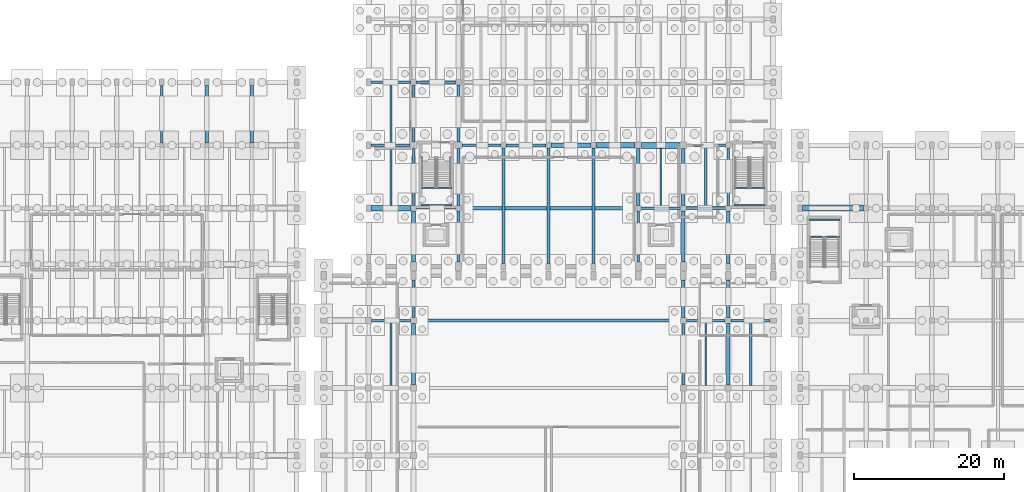
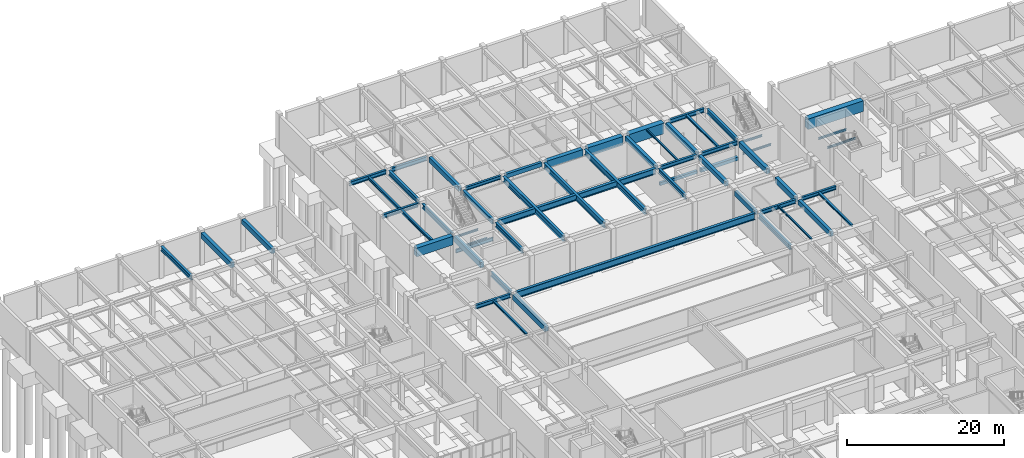
# One storey, part 38 of 69: 58 beams.
"""IFC4 building model written with IfcOpenShell, lengths in metres."""

from ifc_helpers import new_model, si_unit, direction, frame, origin, origin_2d, place, context, subcontext, project, spatial, rectangle, i_section, extrude, material, material_profile, profile_set, type_object, element, save


model = new_model("IFC4")

# Units and contexts
model_context = context("Model", 3, precision=1e-05, world=origin(), true_north=direction((0.0, 1.0)))
body_context = subcontext(model_context, "Body", "Model", "MODEL_VIEW")
ifc_project = project(units=[si_unit("LENGTHUNIT", "METRE"), si_unit("AREAUNIT", "SQUARE_METRE"), si_unit("VOLUMEUNIT", "CUBIC_METRE"), si_unit("PLANEANGLEUNIT", "RADIAN"), si_unit("MASSUNIT", "GRAM", prefix="KILO")], contexts=[model_context])

# Site, building, storey
site_placement = place(None, origin())
site = spatial("IfcSite", under=ifc_project, at=site_placement, CompositionType="ELEMENT")
building_placement = place(site_placement, origin())
building = spatial("IfcBuilding", under=site, at=building_placement, Name="Vaelkrest Opera House", CompositionType="ELEMENT")
storey_placement = place(building_placement, frame((0.0, 0.0, -5.39990234375)))
storey = spatial("IfcBuildingStorey", under=building, at=storey_placement, Name="B1", CompositionType="ELEMENT", Elevation=-5.39990234375)

# Beams
ifc_material_1 = material(Name="Concrete C50/60", Category="concrete")
ifc_material_profile_1 = material_profile(ifc_material_1, rectangle(XDim=0.39990234375, YDim=0.64990234375, at=origin_2d()), Name="RCB400X650")
ifc_profile_set_1 = profile_set([ifc_material_profile_1], Name="Concrete C50/60")
beam_type_1 = type_object("IfcBeamType", Name="B01", PredefinedType="BEAM", material=ifc_profile_set_1)
beam_1_placement = place(storey_placement, frame((-5.64990234375, 33.60009765625, 4.7099609375), z_axis=(1.0, 0.0, 0.0), x_axis=(0.0, 1.0, 0.0)))
element("IfcBeam", 1, at=beam_1_placement, inside=storey, type_object=beam_type_1, Name="Beam BM-V2-B1-0669", PredefinedType="BEAM", context=body_context, shape_type="SweptSolid", body=[
    extrude(rectangle(XDim=0.39990234375, YDim=0.64990234375, at=origin_2d()), origin(), (0.0, 0.0, 1.0), 5.2998046875),
])
ifc_material_profile_2 = material_profile(ifc_material_1, rectangle(XDim=0.449951171875, YDim=0.75, at=origin_2d()), Name="RCB450X750")
ifc_profile_set_2 = profile_set([ifc_material_profile_2], Name="Concrete C50/60")
beam_type_2 = type_object("IfcBeamType", Name="B02", PredefinedType="BEAM", material=ifc_profile_set_2)
beam_2_placement = place(storey_placement, frame((18.0, 10.60009765625, 4.684814453125), z_axis=(0.0, 1.0, 0.0), x_axis=(-1.0, 0.0, 0.0)))
element("IfcBeam", 2, at=beam_2_placement, inside=storey, type_object=beam_type_2, Name="Beam BM-V1-B1-0063", PredefinedType="BEAM", context=body_context, shape_type="SweptSolid", body=[
    extrude(rectangle(XDim=0.449951171875, YDim=0.75, at=origin_2d()), origin(), (0.0, 0.0, 1.0), 5.0498046875),
])
beam_3_placement = place(storey_placement, frame((24.0, 1.60009765625, 4.684814453125), z_axis=(0.0, 1.0, 0.0), x_axis=(-1.0, 0.0, 0.0)))
element("IfcBeam", 3, at=beam_3_placement, inside=storey, type_object=beam_type_2, Name="Beam BM-V1-B1-0067", PredefinedType="BEAM", context=body_context, shape_type="SweptSolid", body=[
    extrude(rectangle(XDim=0.449951171875, YDim=0.75, at=origin_2d()), origin(), (0.0, 0.0, 1.0), 8.199951171875),
])
for number, where, z_axis, x_axis, name in (
    (4, (-12.0, 34.050048828125, 4.659912109375), (0.0, 1.0, 0.0), (-1.0, 0.0, 0.0), "Beam BM-V2-B1-0699"),
    (5, (12.0, 25.550048828125, 4.659912109375), (0.0, 1.0, 0.0), (-1.0, 0.0, 0.0), "Beam BM-V2-B1-0715"),
):
    element("IfcBeam", number, at=place(storey_placement, frame(where, z_axis=z_axis, x_axis=x_axis)), inside=storey, type_object=beam_type_2, Name=name, PredefinedType="BEAM", context=body_context, shape_type="SweptSolid", body=[
        extrude(rectangle(XDim=0.449951171875, YDim=0.75, at=origin_2d()), origin(), (0.0, 0.0, 1.0), 7.599853515625),
    ])
beam_4_placement = place(storey_placement, frame((18.0, 18.0, 4.659912109375), z_axis=(0.0, 1.0, 0.0), x_axis=(-1.0, 0.0, 0.0)))
element("IfcBeam", 6, at=beam_4_placement, inside=storey, type_object=beam_type_2, Name="Beam BM-V2-B1-0719", PredefinedType="BEAM", context=body_context, shape_type="SweptSolid", body=[
    extrude(rectangle(XDim=0.449951171875, YDim=0.75, at=origin_2d()), origin(), (0.0, 0.0, 1.0), 6.85009765625),
])
beam_5_placement = place(storey_placement, frame((-39.60009765625, 33.875, 4.704833984375), z_axis=(0.0, 1.0, 0.0), x_axis=(-1.0, 0.0, 0.0)))
element("IfcBeam", 7, at=beam_5_placement, inside=storey, type_object=beam_type_2, Name="Beam BM-V3-B1-1355", PredefinedType="BEAM", context=body_context, shape_type="SweptSolid", body=[
    extrude(rectangle(XDim=0.449951171875, YDim=0.75, at=origin_2d()), origin(), (0.0, 0.0, 1.0), 7.675048828125),
])
ifc_material_profile_3 = material_profile(ifc_material_1, rectangle(XDim=0.5, YDim=0.85009765625, at=origin_2d()), Name="RCB500X850")
ifc_profile_set_3 = profile_set([ifc_material_profile_3], Name="Concrete C50/60")
beam_type_3 = type_object("IfcBeamType", Name="B03", PredefinedType="BEAM", material=ifc_profile_set_3)
beam_6_placement = place(storey_placement, frame((-18.0, 1.60009765625, 4.635009765625), z_axis=(0.0, 1.0, 0.0), x_axis=(-1.0, 0.0, 0.0)))
element("IfcBeam", 8, at=beam_6_placement, inside=storey, type_object=beam_type_3, Name="Beam BM-V1-B1-0048", PredefinedType="BEAM", context=body_context, shape_type="SweptSolid", body=[
    extrude(rectangle(XDim=0.5, YDim=0.85009765625, at=origin_2d()), origin(), (0.0, 0.0, 1.0), 8.199951171875),
])
beam_7_placement = place(storey_placement, frame((24.0, 10.60009765625, 4.635009765625), z_axis=(0.0, 1.0, 0.0), x_axis=(-1.0, 0.0, 0.0)))
element("IfcBeam", 9, at=beam_7_placement, inside=storey, type_object=beam_type_3, Name="Beam BM-V1-B1-0068", PredefinedType="BEAM", context=body_context, shape_type="SweptSolid", body=[
    extrude(rectangle(XDim=0.5, YDim=0.85009765625, at=origin_2d()), origin(), (0.0, 0.0, 1.0), 5.0498046875),
])
beam_8_placement = place(storey_placement, frame((-18.0, 18.0, 4.60986328125), z_axis=(0.0, 1.0, 0.0), x_axis=(-1.0, 0.0, 0.0)))
element("IfcBeam", 10, at=beam_8_placement, inside=storey, type_object=beam_type_3, Name="Beam BM-V2-B1-0692", PredefinedType="BEAM", context=body_context, shape_type="SweptSolid", body=[
    extrude(rectangle(XDim=0.5, YDim=0.85009765625, at=origin_2d()), origin(), (0.0, 0.0, 1.0), 6.85009765625),
])
beam_9_placement = place(storey_placement, frame((18.0, 25.550048828125, 4.60986328125), z_axis=(0.0, 1.0, 0.0), x_axis=(-1.0, 0.0, 0.0)))
element("IfcBeam", 11, at=beam_9_placement, inside=storey, type_object=beam_type_3, Name="Beam BM-V2-B1-0720", PredefinedType="BEAM", context=body_context, shape_type="SweptSolid", body=[
    extrude(rectangle(XDim=0.5, YDim=0.85009765625, at=origin_2d()), origin(), (0.0, 0.0, 1.0), 7.599853515625),
])
beam_10_placement = place(storey_placement, frame((24.0, 17.85009765625, 4.60986328125), z_axis=(0.0, 1.0, 0.0), x_axis=(-1.0, 0.0, 0.0)))
element("IfcBeam", 12, at=beam_10_placement, inside=storey, type_object=beam_type_3, Name="Beam BM-V2-B1-0724", PredefinedType="BEAM", context=body_context, shape_type="SweptSolid", body=[
    extrude(rectangle(XDim=0.5, YDim=0.85009765625, at=origin_2d()), origin(), (0.0, 0.0, 1.0), 7.0),
])
beam_11_placement = place(storey_placement, frame((-45.60009765625, 33.875, 4.65478515625), z_axis=(0.0, 1.0, 0.0), x_axis=(-1.0, 0.0, 0.0)))
element("IfcBeam", 13, at=beam_11_placement, inside=storey, type_object=beam_type_3, Name="Beam BM-V3-B1-1348", PredefinedType="BEAM", context=body_context, shape_type="SweptSolid", body=[
    extrude(rectangle(XDim=0.5, YDim=0.85009765625, at=origin_2d()), origin(), (0.0, 0.0, 1.0), 7.675048828125),
])
ifc_material_profile_4 = material_profile(ifc_material_1, rectangle(XDim=0.60009765625, YDim=1.10009765625, at=origin_2d()), Name="RCB600X1100")
ifc_profile_set_4 = profile_set([ifc_material_profile_4], Name="Concrete C50/60")
beam_type_4 = type_object("IfcBeamType", Name="B05", PredefinedType="BEAM", material=ifc_profile_set_4)
beam_12_placement = place(storey_placement, frame((0.35009765625, 33.60009765625, 4.48486328125), z_axis=(1.0, 0.0, 0.0), x_axis=(0.0, 1.0, 0.0)))
element("IfcBeam", 14, at=beam_12_placement, inside=storey, type_object=beam_type_4, Name="Beam BM-V2-B1-0670", PredefinedType="BEAM", context=body_context, shape_type="SweptSolid", body=[
    extrude(rectangle(XDim=0.60009765625, YDim=1.10009765625, at=origin_2d()), origin(), (0.0, 0.0, 1.0), 5.2998046875),
])
ifc_material_profile_5 = material_profile(ifc_material_1, rectangle(XDim=0.699951171875, YDim=1.35009765625, at=origin_2d()), Name="RCB700X1350")
ifc_profile_set_5 = profile_set([ifc_material_profile_5], Name="Concrete C50/60")
beam_type_5 = type_object("IfcBeamType", Name="B06", PredefinedType="BEAM", material=ifc_profile_set_5)
beam_13_placement = place(storey_placement, frame((-23.699951171875, 25.199951171875, 4.35986328125), z_axis=(1.0, 0.0, 0.0), x_axis=(0.0, 1.0, 0.0)))
element("IfcBeam", 15, at=beam_13_placement, inside=storey, type_object=beam_type_5, Name="Beam BM-V2-B1-0663", PredefinedType="BEAM", context=body_context, shape_type="SweptSolid", body=[
    extrude(rectangle(XDim=0.699951171875, YDim=1.35009765625, at=origin_2d()), origin(), (0.0, 0.0, 1.0), 5.349853515625),
])
beam_14_placement = place(storey_placement, frame((6.35009765625, 33.60009765625, 4.35986328125), z_axis=(1.0, 0.0, 0.0), x_axis=(0.0, 1.0, 0.0)))
element("IfcBeam", 16, at=beam_14_placement, inside=storey, type_object=beam_type_5, Name="Beam BM-V2-B1-0671", PredefinedType="BEAM", context=body_context, shape_type="SweptSolid", body=[
    extrude(rectangle(XDim=0.699951171875, YDim=1.35009765625, at=origin_2d()), origin(), (0.0, 0.0, 1.0), 5.199951171875),
])
ifc_material_profile_6 = material_profile(ifc_material_1, rectangle(XDim=0.800048828125, YDim=1.64990234375, at=origin_2d()), Name="RCB800X1650")
ifc_profile_set_6 = profile_set([ifc_material_profile_6], Name="Concrete C50/60")
beam_type_6 = type_object("IfcBeamType", Name="B07", PredefinedType="BEAM", material=ifc_profile_set_6)
beam_15_placement = place(storey_placement, frame((12.449951171875, 33.60009765625, 4.2099609375), z_axis=(1.0, 0.0, 0.0), x_axis=(0.0, 1.0, 0.0)))
element("IfcBeam", 17, at=beam_15_placement, inside=storey, type_object=beam_type_6, Name="Beam BM-V2-B1-0672", PredefinedType="BEAM", context=body_context, shape_type="SweptSolid", body=[
    extrude(rectangle(XDim=0.800048828125, YDim=1.64990234375, at=origin_2d()), origin(), (0.0, 0.0, 1.0), 5.10009765625),
])
beam_16_placement = place(storey_placement, frame((33.89990234375, 25.199951171875, 4.179931640625), z_axis=(1.0, 0.0, 0.0), x_axis=(0.0, 1.0, 0.0)))
element("IfcBeam", 18, at=beam_16_placement, inside=storey, type_object=beam_type_6, Name="Beam BM-V4-B1-1856", PredefinedType="BEAM", context=body_context, shape_type="SweptSolid", body=[
    extrude(rectangle(XDim=0.800048828125, YDim=1.64990234375, at=origin_2d()), origin(), (0.0, 0.0, 1.0), 8.150146484375),
])
ifc_material_2 = material(Name="Steel A992 Gr50", Category="steel")
ifc_material_profile_7 = material_profile(ifc_material_2, i_section(OverallWidth=0.323974609375, OverallDepth=0.611083984375, WebThickness=0.0126953125, FlangeThickness=0.01904296875, at=origin_2d()), Name="W24X104")
ifc_profile_set_7 = profile_set([ifc_material_profile_7], Name="Steel A992 Gr50")
beam_type_7 = type_object("IfcBeamType", Name="B08", PredefinedType="BEAM", material=ifc_profile_set_7)
beam_17_placement = place(storey_placement, frame((-23.60009765625, 10.199951171875, 4.75439453125), z_axis=(1.0, 0.0, 0.0), x_axis=(0.0, 1.0, 0.0)))
element("IfcBeam", 19, at=beam_17_placement, inside=storey, type_object=beam_type_7, Name="Beam BM-V1-B1-0033", PredefinedType="BEAM", context=body_context, shape_type="SweptSolid", body=[
    extrude(i_section(OverallWidth=0.323974609375, OverallDepth=0.611083984375, WebThickness=0.0126953125, FlangeThickness=0.01904296875, at=origin_2d()), origin(), (0.0, 0.0, 1.0), 5.2001953125),
])
beam_18_placement = place(storey_placement, frame((12.35009765625, 25.199951171875, 4.7294921875), z_axis=(1.0, 0.0, 0.0), x_axis=(0.0, 1.0, 0.0)))
element("IfcBeam", 20, at=beam_18_placement, inside=storey, type_object=beam_type_7, Name="Beam BM-V2-B1-0665", PredefinedType="BEAM", context=body_context, shape_type="SweptSolid", body=[
    extrude(i_section(OverallWidth=0.323974609375, OverallDepth=0.611083984375, WebThickness=0.0126953125, FlangeThickness=0.01904296875, at=origin_2d()), origin(), (0.0, 0.0, 1.0), 5.2998046875),
])
beam_19_placement = place(storey_placement, frame((18.449951171875, 33.60009765625, 4.7294921875), z_axis=(1.0, 0.0, 0.0), x_axis=(0.0, 1.0, 0.0)))
element("IfcBeam", 21, at=beam_19_placement, inside=storey, type_object=beam_type_7, Name="Beam BM-V2-B1-0673", PredefinedType="BEAM", context=body_context, shape_type="SweptSolid", body=[
    extrude(i_section(OverallWidth=0.323974609375, OverallDepth=0.611083984375, WebThickness=0.0126953125, FlangeThickness=0.01904296875, at=origin_2d()), origin(), (0.0, 0.0, 1.0), 5.199951171875),
])
ifc_material_profile_8 = material_profile(ifc_material_2, i_section(OverallWidth=0.327880859375, OverallDepth=0.6279296875, WebThickness=0.0166015625, FlangeThickness=0.027587890625, at=origin_2d()), Name="W24X146")
ifc_profile_set_8 = profile_set([ifc_material_profile_8], Name="Steel A992 Gr50")
beam_type_8 = type_object("IfcBeamType", Name="B09", PredefinedType="BEAM", material=ifc_profile_set_8)
beam_20_placement = place(storey_placement, frame((18.35009765625, 25.199951171875, 4.720947265625), z_axis=(1.0, 0.0, 0.0), x_axis=(0.0, 1.0, 0.0)))
element("IfcBeam", 22, at=beam_20_placement, inside=storey, type_object=beam_type_8, Name="Beam BM-V2-B1-0666", PredefinedType="BEAM", context=body_context, shape_type="SweptSolid", body=[
    extrude(i_section(OverallWidth=0.327880859375, OverallDepth=0.6279296875, WebThickness=0.0166015625, FlangeThickness=0.027587890625, at=origin_2d()), origin(), (0.0, 0.0, 1.0), 5.2998046875),
])
beam_21_placement = place(storey_placement, frame((-23.699951171875, 42.0, 4.720947265625), z_axis=(1.0, 0.0, 0.0), x_axis=(0.0, 1.0, 0.0)))
element("IfcBeam", 23, at=beam_21_placement, inside=storey, type_object=beam_type_8, Name="Beam BM-V2-B1-0674", PredefinedType="BEAM", context=body_context, shape_type="SweptSolid", body=[
    extrude(i_section(OverallWidth=0.327880859375, OverallDepth=0.6279296875, WebThickness=0.0166015625, FlangeThickness=0.027587890625, at=origin_2d()), origin(), (0.0, 0.0, 1.0), 5.349853515625),
])
ifc_material_profile_9 = material_profile(ifc_material_2, i_section(OverallWidth=0.35498046875, OverallDepth=0.695068359375, WebThickness=0.015380859375, FlangeThickness=0.02490234375, at=origin_2d()), Name="W27X146")
ifc_profile_set_9 = profile_set([ifc_material_profile_9], Name="Steel A992 Gr50")
beam_type_9 = type_object("IfcBeamType", Name="B10", PredefinedType="BEAM", material=ifc_profile_set_9)
beam_22_placement = place(storey_placement, frame((-18.0, 10.60009765625, 4.71240234375), z_axis=(0.0, 1.0, 0.0), x_axis=(-1.0, 0.0, 0.0)))
element("IfcBeam", 24, at=beam_22_placement, inside=storey, type_object=beam_type_9, Name="Beam BM-V1-B1-0049", PredefinedType="BEAM", context=body_context, shape_type="SweptSolid", body=[
    extrude(i_section(OverallWidth=0.35498046875, OverallDepth=0.695068359375, WebThickness=0.015380859375, FlangeThickness=0.02490234375, at=origin_2d()), origin(), (0.0, 0.0, 1.0), 5.0498046875),
])
beam_23_placement = place(storey_placement, frame((-18.0, 25.550048828125, 4.6875), z_axis=(0.0, 1.0, 0.0), x_axis=(-1.0, 0.0, 0.0)))
element("IfcBeam", 25, at=beam_23_placement, inside=storey, type_object=beam_type_9, Name="Beam BM-V2-B1-0693", PredefinedType="BEAM", context=body_context, shape_type="SweptSolid", body=[
    extrude(i_section(OverallWidth=0.35498046875, OverallDepth=0.695068359375, WebThickness=0.015380859375, FlangeThickness=0.02490234375, at=origin_2d()), origin(), (0.0, 0.0, 1.0), 7.599853515625),
])
beam_24_placement = place(storey_placement, frame((-12.0, 18.0, 4.6875), z_axis=(0.0, 1.0, 0.0), x_axis=(-1.0, 0.0, 0.0)))
element("IfcBeam", 26, at=beam_24_placement, inside=storey, type_object=beam_type_9, Name="Beam BM-V2-B1-0697", PredefinedType="BEAM", context=body_context, shape_type="SweptSolid", body=[
    extrude(i_section(OverallWidth=0.35498046875, OverallDepth=0.695068359375, WebThickness=0.015380859375, FlangeThickness=0.02490234375, at=origin_2d()), origin(), (0.0, 0.0, 1.0), 6.85009765625),
])
beam_25_placement = place(storey_placement, frame((24.0, 25.550048828125, 4.6875), z_axis=(0.0, 1.0, 0.0), x_axis=(-1.0, 0.0, 0.0)))
element("IfcBeam", 27, at=beam_25_placement, inside=storey, type_object=beam_type_9, Name="Beam BM-V2-B1-0725", PredefinedType="BEAM", context=body_context, shape_type="SweptSolid", body=[
    extrude(i_section(OverallWidth=0.35498046875, OverallDepth=0.695068359375, WebThickness=0.015380859375, FlangeThickness=0.02490234375, at=origin_2d()), origin(), (0.0, 0.0, 1.0), 7.699951171875),
])
beam_26_placement = place(storey_placement, frame((-51.60009765625, 33.875, 4.732421875), z_axis=(0.0, 1.0, 0.0), x_axis=(-1.0, 0.0, 0.0)))
element("IfcBeam", 28, at=beam_26_placement, inside=storey, type_object=beam_type_9, Name="Beam BM-V3-B1-1341", PredefinedType="BEAM", context=body_context, shape_type="SweptSolid", body=[
    extrude(i_section(OverallWidth=0.35498046875, OverallDepth=0.695068359375, WebThickness=0.015380859375, FlangeThickness=0.02490234375, at=origin_2d()), origin(), (0.0, 0.0, 1.0), 7.675048828125),
])
ifc_material_profile_10 = material_profile(ifc_material_2, i_section(OverallWidth=0.39892578125, OverallDepth=0.85498046875, WebThickness=0.018310546875, FlangeThickness=0.029296875, at=origin_2d()), Name="W33X201")
ifc_profile_set_10 = profile_set([ifc_material_profile_10], Name="Steel A992 Gr50")
beam_type_10 = type_object("IfcBeamType", Name="B12", PredefinedType="BEAM", material=ifc_profile_set_10)
for number, where, z_axis, x_axis, name in (
    (29, (-6.0, 17.85009765625, 4.607421875), (0.0, 1.0, 0.0), (-1.0, 0.0, 0.0), "Beam BM-V2-B1-0702"),
    (30, (0.0, 17.85009765625, 4.607421875), (0.0, 1.0, 0.0), (-1.0, 0.0, 0.0), "Beam BM-V2-B1-0706"),
    (31, (6.0, 17.85009765625, 4.607421875), (0.0, 1.0, 0.0), (-1.0, 0.0, 0.0), "Beam BM-V2-B1-0710"),
):
    element("IfcBeam", number, at=place(storey_placement, frame(where, z_axis=z_axis, x_axis=x_axis)), inside=storey, type_object=beam_type_10, Name=name, PredefinedType="BEAM", context=body_context, shape_type="SweptSolid", body=[
        extrude(i_section(OverallWidth=0.39892578125, OverallDepth=0.85498046875, WebThickness=0.018310546875, FlangeThickness=0.029296875, at=origin_2d()), origin(), (0.0, 0.0, 1.0), 15.39990234375),
    ])
ifc_material_profile_11 = material_profile(ifc_material_2, i_section(OverallWidth=0.41796875, OverallDepth=0.927001953125, WebThickness=0.019287109375, FlangeThickness=0.031982421875, at=origin_2d()), Name="W36X231")
ifc_profile_set_11 = profile_set([ifc_material_profile_11], Name="Steel A992 Gr50")
beam_type_11 = type_object("IfcBeamType", Name="B13", PredefinedType="BEAM", material=ifc_profile_set_11)
beam_27_placement = place(storey_placement, frame((-11.64990234375, 25.199951171875, 4.5712890625), z_axis=(1.0, 0.0, 0.0), x_axis=(0.0, 1.0, 0.0)))
element("IfcBeam", 32, at=beam_27_placement, inside=storey, type_object=beam_type_11, Name="Beam BM-V2-B1-0664", PredefinedType="BEAM", context=body_context, shape_type="SweptSolid", body=[
    extrude(i_section(OverallWidth=0.41796875, OverallDepth=0.927001953125, WebThickness=0.019287109375, FlangeThickness=0.031982421875, at=origin_2d()), origin(), (0.0, 0.0, 1.0), 23.2998046875),
])
ifc_material_profile_12 = material_profile(ifc_material_2, i_section(OverallWidth=0.35791015625, OverallDepth=0.7060546875, WebThickness=0.018310546875, FlangeThickness=0.0302734375, at=origin_2d()), Name="W27X178")
ifc_profile_set_12 = profile_set([ifc_material_profile_12], Name="Steel A992 Gr50")
beam_type_12 = type_object("IfcBeamType", Name="B14", PredefinedType="BEAM", material=ifc_profile_set_12)
beam_28_placement = place(storey_placement, frame((18.0, 1.60009765625, 4.706787109375), z_axis=(0.0, 1.0, 0.0), x_axis=(-1.0, 0.0, 0.0)))
element("IfcBeam", 33, at=beam_28_placement, inside=storey, type_object=beam_type_12, Name="Beam BM-V1-B1-0062", PredefinedType="BEAM", context=body_context, shape_type="SweptSolid", body=[
    extrude(i_section(OverallWidth=0.35791015625, OverallDepth=0.7060546875, WebThickness=0.018310546875, FlangeThickness=0.0302734375, at=origin_2d()), origin(), (0.0, 0.0, 1.0), 8.199951171875),
])
for number, where, z_axis, x_axis, name in (
    (34, (-18.0, 34.050048828125, 4.681884765625), (0.0, 1.0, 0.0), (-1.0, 0.0, 0.0), "Beam BM-V2-B1-0694"),
    (35, (-12.0, 25.550048828125, 4.681884765625), (0.0, 1.0, 0.0), (-1.0, 0.0, 0.0), "Beam BM-V2-B1-0698"),
):
    element("IfcBeam", number, at=place(storey_placement, frame(where, z_axis=z_axis, x_axis=x_axis)), inside=storey, type_object=beam_type_12, Name=name, PredefinedType="BEAM", context=body_context, shape_type="SweptSolid", body=[
        extrude(i_section(OverallWidth=0.35791015625, OverallDepth=0.7060546875, WebThickness=0.018310546875, FlangeThickness=0.0302734375, at=origin_2d()), origin(), (0.0, 0.0, 1.0), 7.599853515625),
    ])
beam_29_placement = place(storey_placement, frame((12.0, 18.0, 4.681884765625), z_axis=(0.0, 1.0, 0.0), x_axis=(-1.0, 0.0, 0.0)))
element("IfcBeam", 36, at=beam_29_placement, inside=storey, type_object=beam_type_12, Name="Beam BM-V2-B1-0714", PredefinedType="BEAM", context=body_context, shape_type="SweptSolid", body=[
    extrude(i_section(OverallWidth=0.35791015625, OverallDepth=0.7060546875, WebThickness=0.018310546875, FlangeThickness=0.0302734375, at=origin_2d()), origin(), (0.0, 0.0, 1.0), 6.85009765625),
])
ifc_material_profile_13 = material_profile(ifc_material_2, i_section(OverallWidth=0.39990234375, OverallDepth=1.02197265625, WebThickness=0.01904296875, FlangeThickness=0.0361328125, at=origin_2d()), Name="W40X249")
ifc_profile_set_13 = profile_set([ifc_material_profile_13], Name="Steel A992 Gr50")
beam_type_13 = type_object("IfcBeamType", Name="B15", PredefinedType="BEAM", material=ifc_profile_set_13)
beam_30_placement = place(storey_placement, frame((-17.60009765625, 10.199951171875, 4.548828125), z_axis=(1.0, 0.0, 0.0), x_axis=(0.0, 1.0, 0.0)))
element("IfcBeam", 37, at=beam_30_placement, inside=storey, type_object=beam_type_13, Name="Beam BM-V1-B1-0034", PredefinedType="BEAM", context=body_context, shape_type="SweptSolid", body=[
    extrude(i_section(OverallWidth=0.39990234375, OverallDepth=1.02197265625, WebThickness=0.01904296875, FlangeThickness=0.0361328125, at=origin_2d()), origin(), (0.0, 0.0, 1.0), 35.2001953125),
])
ifc_material_profile_14 = material_profile(ifc_material_2, i_section(OverallWidth=0.326904296875, OverallDepth=0.6220703125, WebThickness=0.015380859375, FlangeThickness=0.0244140625, at=origin_2d()), Name="W24X131")
ifc_profile_set_14 = profile_set([ifc_material_profile_14], Name="Steel A992 Gr50")
beam_type_14 = type_object("IfcBeamType", Name="B19", PredefinedType="BEAM", material=ifc_profile_set_14)
beam_31_placement = place(storey_placement, frame((18.39990234375, 10.199951171875, 4.7490234375), z_axis=(1.0, 0.0, 0.0), x_axis=(0.0, 1.0, 0.0)))
element("IfcBeam", 38, at=beam_31_placement, inside=storey, type_object=beam_type_14, Name="Beam BM-V1-B1-0035", PredefinedType="BEAM", context=body_context, shape_type="SweptSolid", body=[
    extrude(i_section(OverallWidth=0.326904296875, OverallDepth=0.6220703125, WebThickness=0.015380859375, FlangeThickness=0.0244140625, at=origin_2d()), origin(), (0.0, 0.0, 1.0), 5.2001953125),
])
beam_32_placement = place(storey_placement, frame((-23.699951171875, 33.60009765625, 4.723876953125), z_axis=(1.0, 0.0, 0.0), x_axis=(0.0, 1.0, 0.0)))
element("IfcBeam", 39, at=beam_32_placement, inside=storey, type_object=beam_type_14, Name="Beam BM-V2-B1-0667", PredefinedType="BEAM", context=body_context, shape_type="SweptSolid", body=[
    extrude(i_section(OverallWidth=0.326904296875, OverallDepth=0.6220703125, WebThickness=0.015380859375, FlangeThickness=0.0244140625, at=origin_2d()), origin(), (0.0, 0.0, 1.0), 5.25),
])
beam_33_placement = place(storey_placement, frame((-17.64990234375, 42.0, 4.723876953125), z_axis=(1.0, 0.0, 0.0), x_axis=(0.0, 1.0, 0.0)))
element("IfcBeam", 40, at=beam_33_placement, inside=storey, type_object=beam_type_14, Name="Beam BM-V2-B1-0675", PredefinedType="BEAM", context=body_context, shape_type="SweptSolid", body=[
    extrude(i_section(OverallWidth=0.326904296875, OverallDepth=0.6220703125, WebThickness=0.015380859375, FlangeThickness=0.0244140625, at=origin_2d()), origin(), (0.0, 0.0, 1.0), 5.2998046875),
])
ifc_material_profile_15 = material_profile(ifc_material_2, i_section(OverallWidth=0.31494140625, OverallDepth=0.551025390625, WebThickness=0.01513671875, FlangeThickness=0.0244140625, at=origin_2d()), Name="W21X122")
ifc_profile_set_15 = profile_set([ifc_material_profile_15], Name="Steel A992 Gr50")
beam_type_15 = type_object("IfcBeamType", Name="B20", PredefinedType="BEAM", material=ifc_profile_set_15)
beam_34_placement = place(storey_placement, frame((24.39990234375, 10.199951171875, 4.784423828125), z_axis=(1.0, 0.0, 0.0), x_axis=(0.0, 1.0, 0.0)))
element("IfcBeam", 41, at=beam_34_placement, inside=storey, type_object=beam_type_15, Name="Beam BM-V1-B1-0036", PredefinedType="BEAM", context=body_context, shape_type="SweptSolid", body=[
    extrude(i_section(OverallWidth=0.31494140625, OverallDepth=0.551025390625, WebThickness=0.01513671875, FlangeThickness=0.0244140625, at=origin_2d()), origin(), (0.0, 0.0, 1.0), 5.150146484375),
])
beam_35_placement = place(storey_placement, frame((-11.550048828125, 33.60009765625, 4.759521484375), z_axis=(1.0, 0.0, 0.0), x_axis=(0.0, 1.0, 0.0)))
element("IfcBeam", 42, at=beam_35_placement, inside=storey, type_object=beam_type_15, Name="Beam BM-V2-B1-0668", PredefinedType="BEAM", context=body_context, shape_type="SweptSolid", body=[
    extrude(i_section(OverallWidth=0.31494140625, OverallDepth=0.551025390625, WebThickness=0.01513671875, FlangeThickness=0.0244140625, at=origin_2d()), origin(), (0.0, 0.0, 1.0), 5.199951171875),
])
ifc_material_profile_16 = material_profile(ifc_material_2, i_section(OverallWidth=0.2041015625, OverallDepth=0.257080078125, WebThickness=0.0087890625, FlangeThickness=0.015625, at=origin_2d()), Name="W10X45")
ifc_profile_set_16 = profile_set([ifc_material_profile_16], Name="Steel A992 Gr50")
beam_type_16 = type_object("IfcBeamType", Name="J01", PredefinedType="JOIST", material=ifc_profile_set_16)
beam_36_placement = place(storey_placement, frame((21.0, 1.5, 4.931396484375), z_axis=(0.0, 1.0, 0.0), x_axis=(-1.0, 0.0, 0.0)))
element("IfcBeam", 43, at=beam_36_placement, inside=storey, type_object=beam_type_16, Name="Floor joist JST-V1-B1-0081", PredefinedType="JOIST", context=body_context, shape_type="SweptSolid", body=[
    extrude(i_section(OverallWidth=0.2041015625, OverallDepth=0.257080078125, WebThickness=0.0087890625, FlangeThickness=0.015625, at=origin_2d()), origin(), (0.0, 0.0, 1.0), 8.53662109375),
])
beam_37_placement = place(storey_placement, frame((15.0, 25.362060546875, 4.906494140625), z_axis=(0.0, 1.0, 0.0), x_axis=(-1.0, 0.0, 0.0)))
element("IfcBeam", 44, at=beam_37_placement, inside=storey, type_object=beam_type_16, Name="Floor joist JST-V2-B1-0741", PredefinedType="JOIST", context=body_context, shape_type="SweptSolid", body=[
    extrude(i_section(OverallWidth=0.2041015625, OverallDepth=0.257080078125, WebThickness=0.0087890625, FlangeThickness=0.015625, at=origin_2d()), origin(), (0.0, 0.0, 1.0), 7.837890625),
])
ifc_material_profile_17 = material_profile(ifc_material_2, i_section(OverallWidth=0.202880859375, OverallDepth=0.302978515625, WebThickness=0.007568359375, FlangeThickness=0.01318359375, at=origin_2d()), Name="W12X40")
ifc_profile_set_17 = profile_set([ifc_material_profile_17], Name="Steel A992 Gr50")
beam_type_17 = type_object("IfcBeamType", Name="J02", PredefinedType="JOIST", material=ifc_profile_set_17)
for number, where, z_axis, x_axis, name in (
    (45, (-17.02001953125, 25.6201171875, 2.348388671875), (1.0, 0.0, 0.0), (0.0, 1.0, 0.0), "Stair landing bearer beam ST05 B1-1N"),
    (46, (-17.02001953125, 27.909912109375, 2.348388671875), (1.0, 0.0, 0.0), (0.0, 1.0, 0.0), "Stair landing bearer beam ST05 B1-1F"),
):
    element("IfcBeam", number, at=place(storey_placement, frame(where, z_axis=z_axis, x_axis=x_axis)), inside=storey, type_object=beam_type_17, Name=name, PredefinedType="JOIST", context=body_context, shape_type="SweptSolid", body=[
        extrude(i_section(OverallWidth=0.202880859375, OverallDepth=0.302978515625, WebThickness=0.007568359375, FlangeThickness=0.01318359375, at=origin_2d()), origin(), (0.0, 0.0, 1.0), 4.14013671875),
    ])
for number, where, z_axis, x_axis, name in (
    (47, (24.780029296875, 25.6201171875, 2.348388671875), (1.0, 0.0, 0.0), (0.0, 1.0, 0.0), "Stair landing bearer beam ST06 B1-1N"),
    (48, (24.780029296875, 27.909912109375, 2.348388671875), (1.0, 0.0, 0.0), (0.0, 1.0, 0.0), "Stair landing bearer beam ST06 B1-1F"),
    (49, (34.780029296875, 21.389892578125, 2.348388671875), (1.0, 0.0, 0.0), (0.0, 1.0, 0.0), "Stair landing bearer beam ST09 B1-1N"),
    (50, (34.780029296875, 23.679931640625, 2.348388671875), (1.0, 0.0, 0.0), (0.0, 1.0, 0.0), "Stair landing bearer beam ST09 B1-1F"),
):
    element("IfcBeam", number, at=place(storey_placement, frame(where, z_axis=z_axis, x_axis=x_axis)), inside=storey, type_object=beam_type_17, Name=name, PredefinedType="JOIST", context=body_context, shape_type="SweptSolid", body=[
        extrude(i_section(OverallWidth=0.202880859375, OverallDepth=0.302978515625, WebThickness=0.007568359375, FlangeThickness=0.01318359375, at=origin_2d()), origin(), (0.0, 0.0, 1.0), 4.139892578125),
    ])
ifc_material_profile_18 = material_profile(ifc_material_2, i_section(OverallWidth=0.25390625, OverallDepth=0.305908203125, WebThickness=0.0087890625, FlangeThickness=0.0146484375, at=origin_2d()), Name="W12X53")
ifc_profile_set_18 = profile_set([ifc_material_profile_18], Name="Steel A992 Gr50")
beam_type_18 = type_object("IfcBeamType", Name="J03", PredefinedType="JOIST", material=ifc_profile_set_18)
beam_38_placement = place(storey_placement, frame((-21.0, 1.357421875, 4.906982421875), z_axis=(0.0, 1.0, 0.0), x_axis=(-1.0, 0.0, 0.0)))
element("IfcBeam", 51, at=beam_38_placement, inside=storey, type_object=beam_type_18, Name="Floor joist JST-V1-B1-0073", PredefinedType="JOIST", context=body_context, shape_type="SweptSolid", body=[
    extrude(i_section(OverallWidth=0.25390625, OverallDepth=0.305908203125, WebThickness=0.0087890625, FlangeThickness=0.0146484375, at=origin_2d()), origin(), (0.0, 0.0, 1.0), 8.6806640625),
])
ifc_material_profile_19 = material_profile(ifc_material_2, i_section(OverallWidth=0.304931640625, OverallDepth=0.30810546875, WebThickness=0.010009765625, FlangeThickness=0.015380859375, at=origin_2d()), Name="W12X65")
ifc_profile_set_19 = profile_set([ifc_material_profile_19], Name="Steel A992 Gr50")
beam_type_19 = type_object("IfcBeamType", Name="J04", PredefinedType="JOIST", material=ifc_profile_set_19)
beam_39_placement = place(storey_placement, frame((27.0, 1.550048828125, 4.906005859375), z_axis=(0.0, 1.0, 0.0), x_axis=(-1.0, 0.0, 0.0)))
element("IfcBeam", 52, at=beam_39_placement, inside=storey, type_object=beam_type_19, Name="Floor joist JST-V1-B1-0084", PredefinedType="JOIST", context=body_context, shape_type="SweptSolid", body=[
    extrude(i_section(OverallWidth=0.304931640625, OverallDepth=0.30810546875, WebThickness=0.010009765625, FlangeThickness=0.015380859375, at=origin_2d()), origin(), (0.0, 0.0, 1.0), 8.492431640625),
])
beam_40_placement = place(storey_placement, frame((21.0, 25.364013671875, 4.880859375), z_axis=(0.0, 1.0, 0.0), x_axis=(-1.0, 0.0, 0.0)))
element("IfcBeam", 53, at=beam_40_placement, inside=storey, type_object=beam_type_19, Name="Floor joist JST-V2-B1-0744", PredefinedType="JOIST", context=body_context, shape_type="SweptSolid", body=[
    extrude(i_section(OverallWidth=0.304931640625, OverallDepth=0.30810546875, WebThickness=0.010009765625, FlangeThickness=0.015380859375, at=origin_2d()), origin(), (0.0, 0.0, 1.0), 8.073974609375),
])
ifc_material_profile_20 = material_profile(ifc_material_2, i_section(OverallWidth=0.280029296875, OverallDepth=0.462890625, WebThickness=0.0107421875, FlangeThickness=0.017333984375, at=origin_2d()), Name="W18X76")
ifc_profile_set_20 = profile_set([ifc_material_profile_20], Name="Steel A992 Gr50")
beam_type_20 = type_object("IfcBeamType", Name="J09", PredefinedType="JOIST", material=ifc_profile_set_20)
beam_41_placement = place(storey_placement, frame((-21.0, 25.550048828125, 4.803466796875), z_axis=(0.0, 1.0, 0.0), x_axis=(-1.0, 0.0, 0.0)))
element("IfcBeam", 54, at=beam_41_placement, inside=storey, type_object=beam_type_20, Name="Floor joist JST-V2-B1-0729", PredefinedType="JOIST", context=body_context, shape_type="SweptSolid", body=[
    extrude(i_section(OverallWidth=0.280029296875, OverallDepth=0.462890625, WebThickness=0.0107421875, FlangeThickness=0.017333984375, at=origin_2d()), origin(), (0.0, 0.0, 1.0), 7.886474609375),
])
ifc_material_profile_21 = material_profile(ifc_material_2, i_section(OverallWidth=0.282958984375, OverallDepth=0.471923828125, WebThickness=0.013671875, FlangeThickness=0.022216796875, at=origin_2d()), Name="W18X97")
ifc_profile_set_21 = profile_set([ifc_material_profile_21], Name="Steel A992 Gr50")
beam_type_21 = type_object("IfcBeamType", Name="J10", PredefinedType="JOIST", material=ifc_profile_set_21)
beam_42_placement = place(storey_placement, frame((-21.0, 33.763427734375, 4.798828125), z_axis=(0.0, 1.0, 0.0), x_axis=(-1.0, 0.0, 0.0)))
element("IfcBeam", 55, at=beam_42_placement, inside=storey, type_object=beam_type_21, Name="Floor joist JST-V2-B1-0730", PredefinedType="JOIST", context=body_context, shape_type="SweptSolid", body=[
    extrude(i_section(OverallWidth=0.282958984375, OverallDepth=0.471923828125, WebThickness=0.013671875, FlangeThickness=0.022216796875, at=origin_2d()), origin(), (0.0, 0.0, 1.0), 8.072509765625),
])
ifc_material_profile_22 = material_profile(ifc_material_1, rectangle(XDim=0.35009765625, YDim=0.449951171875, at=origin_2d()), Name="RCB350X450")
ifc_profile_set_22 = profile_set([ifc_material_profile_22], Name="Concrete C50/60")
beam_type_22 = type_object("IfcBeamType", Name="LN01", PredefinedType="LINTEL", material=ifc_profile_set_22)
beam_43_placement = place(storey_placement, frame((12.25, 25.199951171875, 2.2998046875), z_axis=(1.0, 0.0, 0.0), x_axis=(0.0, 1.0, 0.0)))
element("IfcBeam", 56, at=beam_43_placement, inside=storey, type_object=beam_type_22, Name="Portal lintel B1-1", PredefinedType="LINTEL", context=body_context, shape_type="SweptSolid", body=[
    extrude(rectangle(XDim=0.35009765625, YDim=0.449951171875, at=origin_2d()), origin(), (0.0, 0.0, 1.0), 5.5),
])
ifc_material_profile_23 = material_profile(ifc_material_1, rectangle(XDim=0.39990234375, YDim=0.52001953125, at=origin_2d()), Name="RCB400X520")
ifc_profile_set_23 = profile_set([ifc_material_profile_23], Name="Concrete C50/60")
beam_type_23 = type_object("IfcBeamType", Name="LN02", PredefinedType="LINTEL", material=ifc_profile_set_23)
beam_44_placement = place(storey_placement, frame((18.25, 25.199951171875, 2.2998046875), z_axis=(1.0, 0.0, 0.0), x_axis=(0.0, 1.0, 0.0)))
element("IfcBeam", 57, at=beam_44_placement, inside=storey, type_object=beam_type_23, Name="Portal lintel B1-2", PredefinedType="LINTEL", context=body_context, shape_type="SweptSolid", body=[
    extrude(rectangle(XDim=0.39990234375, YDim=0.52001953125, at=origin_2d()), origin(), (0.0, 0.0, 1.0), 5.5),
])
ifc_material_profile_24 = material_profile(ifc_material_2, i_section(OverallWidth=0.214111328125, OverallDepth=0.549072265625, WebThickness=0.0146484375, FlangeThickness=0.023681640625, at=origin_2d()), Name="W21X93")
ifc_profile_set_24 = profile_set([ifc_material_profile_24], Name="Steel A992 Gr50")
beam_type_24 = type_object("IfcBeamType", Name="LN03", PredefinedType="LINTEL", material=ifc_profile_set_24)
beam_45_placement = place(storey_placement, frame((-17.75, 25.199951171875, 2.2998046875), z_axis=(1.0, 0.0, 0.0), x_axis=(0.0, 1.0, 0.0)))
element("IfcBeam", 58, at=beam_45_placement, inside=storey, type_object=beam_type_24, Name="Portal lintel B1-3", PredefinedType="LINTEL", context=body_context, shape_type="SweptSolid", body=[
    extrude(i_section(OverallWidth=0.214111328125, OverallDepth=0.549072265625, WebThickness=0.0146484375, FlangeThickness=0.023681640625, at=origin_2d()), origin(), (0.0, 0.0, 1.0), 5.5),
])

save(model, "model.ifc")
